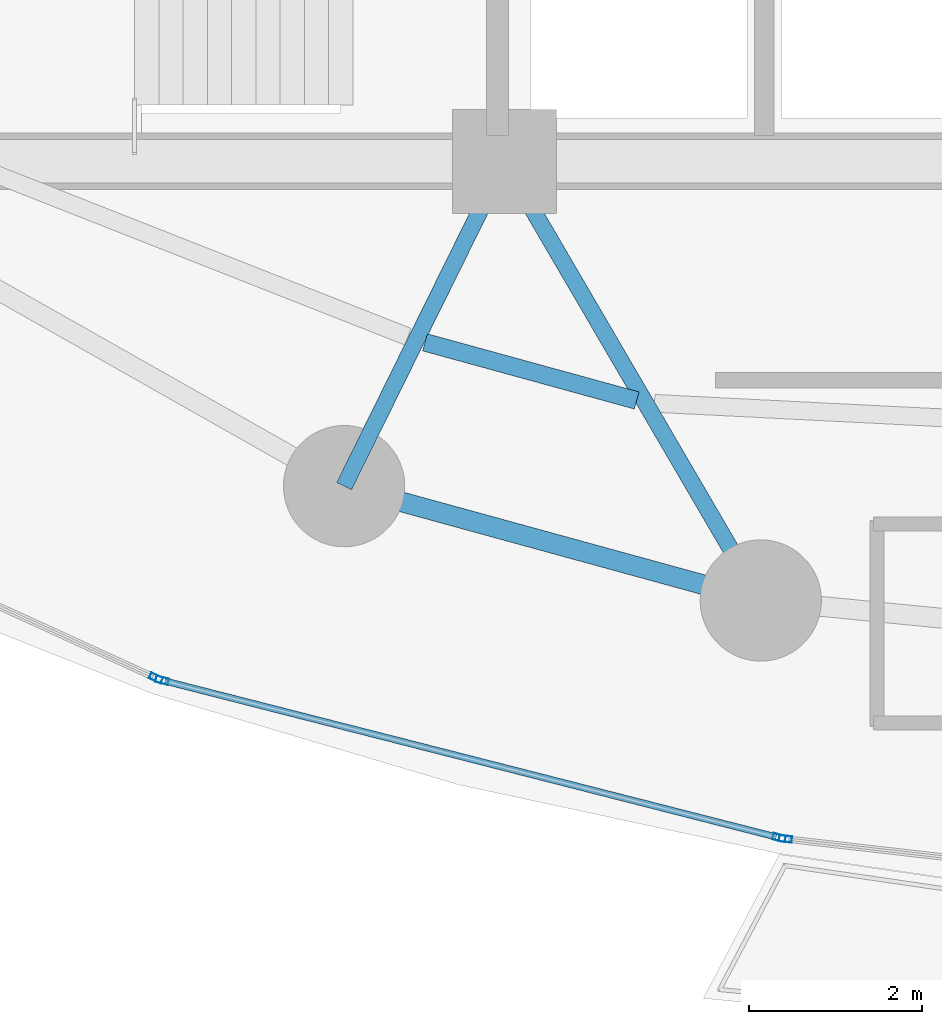
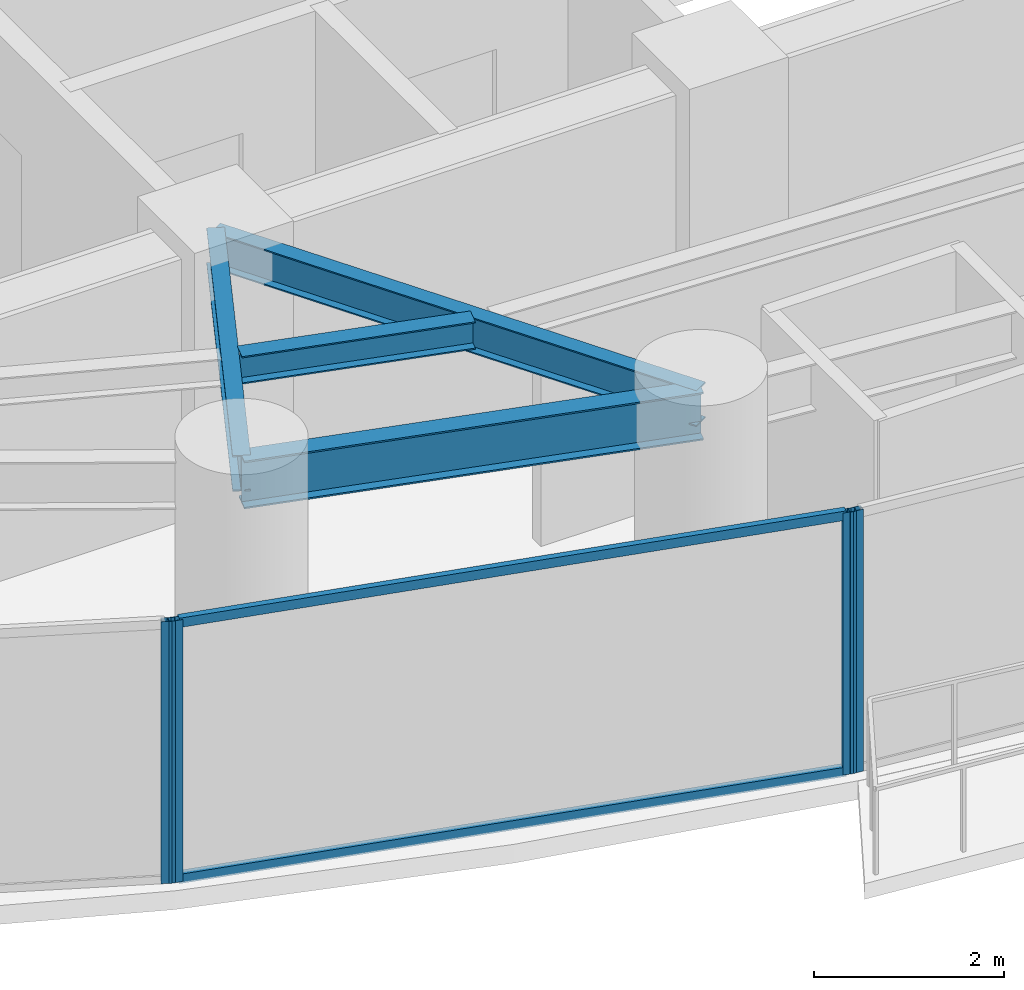
# One storey, part 5 of 34: 6 members, 4 beams, 3 elements without a shape of their own.
"""IFC4 building model written with IfcOpenShell, lengths in metres."""

from ifc_helpers import new_model, si_unit, direction, frame, origin, origin_2d, place, context, subcontext, project, spatial, hollow_rectangle, i_section, extrude, material, layer, layer_set, material_profile, profile_set, type_object, element, aggregate, save


model = new_model("IFC4")

# Units and contexts
model_context = context("Model", 3, precision=1e-05, world=origin(), true_north=direction((0.0, 1.0)))
body_context = subcontext(model_context, "Body", "Model", "MODEL_VIEW")
ifc_project = project(units=[si_unit("LENGTHUNIT", "METRE"), si_unit("AREAUNIT", "SQUARE_METRE"), si_unit("VOLUMEUNIT", "CUBIC_METRE"), si_unit("PLANEANGLEUNIT", "RADIAN"), si_unit("MASSUNIT", "GRAM", prefix="KILO")], contexts=[model_context])

# Site, building, storey
site_placement = place(None, origin())
site = spatial("IfcSite", under=ifc_project, at=site_placement, CompositionType="ELEMENT")
building_placement = place(site_placement, origin())
building = spatial("IfcBuilding", under=site, at=building_placement, Name="Kazevale Care Tower and Concert Hall", CompositionType="ELEMENT")
storey_placement = place(building_placement, frame((0.0, 0.0, 67.199951171875)))
storey = spatial("IfcBuildingStorey", under=building, at=storey_placement, Name="L17", CompositionType="ELEMENT", Elevation=67.199951171875)

# Curtain wall, member
ifc_material_1 = material(Name="Aluminium 6063-T6 and Low-E Glass", Category="aluminium")
ifc_layer = layer(ifc_material_1, 0.179931640625)
ifc_layer_set = layer_set([ifc_layer], Name="Aluminium 6063-T6 and Low-E Glass")
curtain_wall_type = type_object("IfcCurtainWallType", Name="Sheltered Concave Balcony Curtain Wall CW-5", PredefinedType="NOTDEFINED", material=ifc_layer_set)
curtain_wall_1_placement = place(storey_placement, origin())
curtain_wall_1 = element("IfcCurtainWall", 1, at=curtain_wall_1_placement, inside=storey, type_object=curtain_wall_type, Name="cw:L17:f07", PredefinedType="NOTDEFINED")
ifc_material_2 = material(Name="Aluminium 6063-T6", Category="aluminium")
ifc_material_profile_1 = material_profile(ifc_material_2, hollow_rectangle(XDim=0.074951171875, YDim=0.14990234375, WallThickness=0.00390625, at=origin_2d()), Name="ALU75x150x4")
ifc_profile_set_1 = profile_set([ifc_material_profile_1], Name="Aluminium 6063-T6")
member_type_1 = type_object("IfcMemberType", Name="CW-5 Mullion ALU75x150x4", PredefinedType="MULLION", material=ifc_profile_set_1)
member_1_placement = place(storey_placement, frame((33.245361328125, 15.77783203125, 0.0), z_axis=(0.0, 0.0, 1.0), x_axis=(-0.113704773808, -0.993514581883, 0.0)))
member_1 = element("IfcMember", 2, at=member_1_placement, type_object=member_type_1, Name="CW-5 mullion 2", PredefinedType="MULLION", context=body_context, shape_type="SweptSolid", body=[
    extrude(hollow_rectangle(XDim=0.074951171875, YDim=0.14990234375, WallThickness=0.00390625, at=origin_2d()), origin(), (0.0, 0.0, 1.0), 3.360107421875),
])
aggregate(curtain_wall_1, [member_1])

# Curtain wall, members
curtain_wall_2_placement = place(storey_placement, origin())
curtain_wall_2 = element("IfcCurtainWall", 3, at=curtain_wall_2_placement, inside=storey, type_object=curtain_wall_type, Name="cw:L17:f08", PredefinedType="NOTDEFINED")
member_2_placement = place(storey_placement, frame((33.171630859375, 15.791259765625, 0.0), z_axis=(0.0, 0.0, 1.0), x_axis=(-0.247221864936, -0.968958899798, 0.0)))
member_2 = element("IfcMember", 4, at=member_2_placement, type_object=member_type_1, Name="CW-5 mullion 1", PredefinedType="MULLION", context=body_context, shape_type="SweptSolid", body=[
    extrude(hollow_rectangle(XDim=0.074951171875, YDim=0.14990234375, WallThickness=0.00390625, at=origin_2d()), origin(), (0.0, 0.0, 1.0), 3.360107421875),
])
member_3_placement = place(storey_placement, frame((26.04833984375, 17.608642578125, 0.0), z_axis=(0.0, 0.0, 1.0), x_axis=(-0.247221864936, -0.968958899798, 0.0)))
member_3 = element("IfcMember", 5, at=member_3_placement, type_object=member_type_1, Name="CW-5 mullion 2", PredefinedType="MULLION", context=body_context, shape_type="SweptSolid", body=[
    extrude(hollow_rectangle(XDim=0.074951171875, YDim=0.14990234375, WallThickness=0.00390625, at=origin_2d()), origin(), (0.0, 0.0, 1.0), 3.360107421875),
])

# Curtain wall, member
curtain_wall_3_placement = place(storey_placement, origin())
curtain_wall_3 = element("IfcCurtainWall", 6, at=curtain_wall_3_placement, inside=storey, type_object=curtain_wall_type, Name="cw:L17:f09", PredefinedType="NOTDEFINED")
member_4_placement = place(storey_placement, frame((25.977783203125, 17.633544921875, 0.0), z_axis=(0.0, 0.0, 1.0), x_axis=(-0.415659767773, -0.909520179795, 0.0)))
member_4 = element("IfcMember", 7, at=member_4_placement, type_object=member_type_1, Name="CW-5 mullion 1", PredefinedType="MULLION", context=body_context, shape_type="SweptSolid", body=[
    extrude(hollow_rectangle(XDim=0.074951171875, YDim=0.14990234375, WallThickness=0.00390625, at=origin_2d()), origin(), (0.0, 0.0, 1.0), 3.360107421875),
])
aggregate(curtain_wall_3, [member_4])

# Member
ifc_material_profile_2 = material_profile(ifc_material_2, hollow_rectangle(XDim=0.074951171875, YDim=0.1201171875, WallThickness=0.00390625, at=origin_2d()), Name="ALU75x120x4")
ifc_profile_set_2 = profile_set([ifc_material_profile_2], Name="Aluminium 6063-T6")
member_type_2 = type_object("IfcMemberType", Name="CW-5 Transom ALU75x120x4", PredefinedType="USERDEFINED", material=ifc_profile_set_2)
member_5_placement = place(storey_placement, frame((33.13525390625, 15.800537109375, 0.03759765625), z_axis=(-0.968960816419, 0.24721435283, 0.0), x_axis=(-0.24721435283, -0.968960816419, 0.0)))
member_5 = element("IfcMember", 8, at=member_5_placement, type_object=member_type_2, Name="CW-5 transom 1.1", ObjectType="TRANSOM", PredefinedType="USERDEFINED", context=body_context, shape_type="SweptSolid", body=[
    extrude(hollow_rectangle(XDim=0.074951171875, YDim=0.1201171875, WallThickness=0.00390625, at=origin_2d()), origin(), (0.0, 0.0, 1.0), 7.2763671875),
])

member_6_placement = place(storey_placement, frame((33.13525390625, 15.800537109375, 3.322509765625), z_axis=(-0.968960816419, 0.24721435283, 0.0), x_axis=(-0.24721435283, -0.968960816419, 0.0)))
member_6 = element("IfcMember", 9, at=member_6_placement, type_object=member_type_2, Name="CW-5 transom 1.2", ObjectType="TRANSOM", PredefinedType="USERDEFINED", context=body_context, shape_type="SweptSolid", body=[
    extrude(hollow_rectangle(XDim=0.074951171875, YDim=0.1201171875, WallThickness=0.00390625, at=origin_2d()), origin(), (0.0, 0.0, 1.0), 7.2763671875),
])

aggregate(curtain_wall_2, [member_2, member_3, member_5, member_6])

# Beams
ifc_material_3 = material(Name="Steel ASTM A572 Gr 50", Category="steel")
ifc_material_profile_3 = material_profile(ifc_material_3, i_section(OverallWidth=0.19091796875, OverallDepth=0.4599609375, WebThickness=0.010009765625, FlangeThickness=0.01611328125, at=origin_2d()), Name="W460x82")
ifc_profile_set_3 = profile_set([ifc_material_profile_3], Name="Steel ASTM A572 Gr 50")
beam_type_1 = type_object("IfcBeamType", Name="Radial Floor Beam W460x82", PredefinedType="BEAM", material=ifc_profile_set_3)
beam_1_placement = place(storey_placement, frame((30.0, 23.60009765625, 3.130126953125), z_axis=(-0.442443019162, -0.896796618412, 0.0), x_axis=(0.896796618412, -0.442443019162, 0.0)))
element("IfcBeam", 10, at=beam_1_placement, inside=storey, type_object=beam_type_1, Name="beam:L17:rad:11", PredefinedType="BEAM", context=body_context, shape_type="SweptSolid", body=[
    extrude(i_section(OverallWidth=0.19091796875, OverallDepth=0.4599609375, WebThickness=0.010009765625, FlangeThickness=0.01611328125, at=origin_2d()), origin(), (0.0, 0.0, 1.0), 4.181640625),
])
beam_2_placement = place(storey_placement, frame((30.0, 23.60009765625, 3.130126953125), z_axis=(0.50417868077, -0.86359936189, 0.0), x_axis=(0.86359936189, 0.50417868077, 0.0)))
element("IfcBeam", 11, at=beam_2_placement, inside=storey, type_object=beam_type_1, Name="beam:L17:rad:12", PredefinedType="BEAM", context=body_context, shape_type="SweptSolid", body=[
    extrude(i_section(OverallWidth=0.19091796875, OverallDepth=0.4599609375, WebThickness=0.010009765625, FlangeThickness=0.01611328125, at=origin_2d()), origin(), (0.0, 0.0, 1.0), 5.870849609375),
])
ifc_material_profile_4 = material_profile(ifc_material_3, i_section(OverallWidth=0.22900390625, OverallDepth=0.612060546875, WebThickness=0.011962890625, FlangeThickness=0.01953125, at=origin_2d()), Name="W610x125")
ifc_profile_set_4 = profile_set([ifc_material_profile_4], Name="Steel ASTM A572 Gr 50")
beam_type_2 = type_object("IfcBeamType", Name="Ring Spandrel Beam W610x125", PredefinedType="SPANDREL", material=ifc_profile_set_4)
beam_3_placement = place(storey_placement, frame((28.14990234375, 19.85009765625, 3.053955078125), z_axis=(0.964343540473, -0.264653615031, 0.0), x_axis=(0.264653615031, 0.964343540473, 0.0)))
element("IfcBeam", 12, at=beam_3_placement, inside=storey, type_object=beam_type_2, Name="beam:L17:ring:11", PredefinedType="SPANDREL", context=body_context, shape_type="SweptSolid", body=[
    extrude(i_section(OverallWidth=0.22900390625, OverallDepth=0.612060546875, WebThickness=0.011962890625, FlangeThickness=0.01953125, at=origin_2d()), origin(), (0.0, 0.0, 1.0), 4.98779296875),
])
ifc_material_profile_5 = material_profile(ifc_material_3, i_section(OverallWidth=0.205078125, OverallDepth=0.35400390625, WebThickness=0.009521484375, FlangeThickness=0.016845703125, at=origin_2d()), Name="W360x79")
ifc_profile_set_5 = profile_set([ifc_material_profile_5], Name="Steel ASTM A572 Gr 50")
beam_type_3 = type_object("IfcBeamType", Name="Secondary Floor Joist W360x79", PredefinedType="JOIST", material=ifc_profile_set_5)
beam_4_placement = place(storey_placement, frame((29.083984375, 21.510009765625, 3.18310546875), z_axis=(0.964302027389, -0.264804833743, 0.0), x_axis=(0.264804833743, 0.964302027389, 0.0)))
element("IfcBeam", 13, at=beam_4_placement, inside=storey, type_object=beam_type_3, Name="beam:L17:joist:11", PredefinedType="JOIST", context=body_context, shape_type="SweptSolid", body=[
    extrude(i_section(OverallWidth=0.205078125, OverallDepth=0.35400390625, WebThickness=0.009521484375, FlangeThickness=0.016845703125, at=origin_2d()), origin(), (0.0, 0.0, 1.0), 2.533447265625),
])

save(model, "model.ifc")
